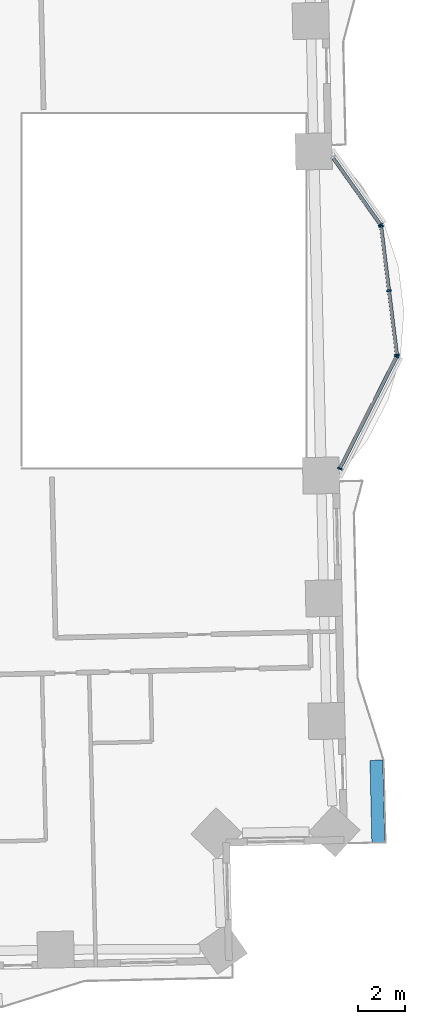
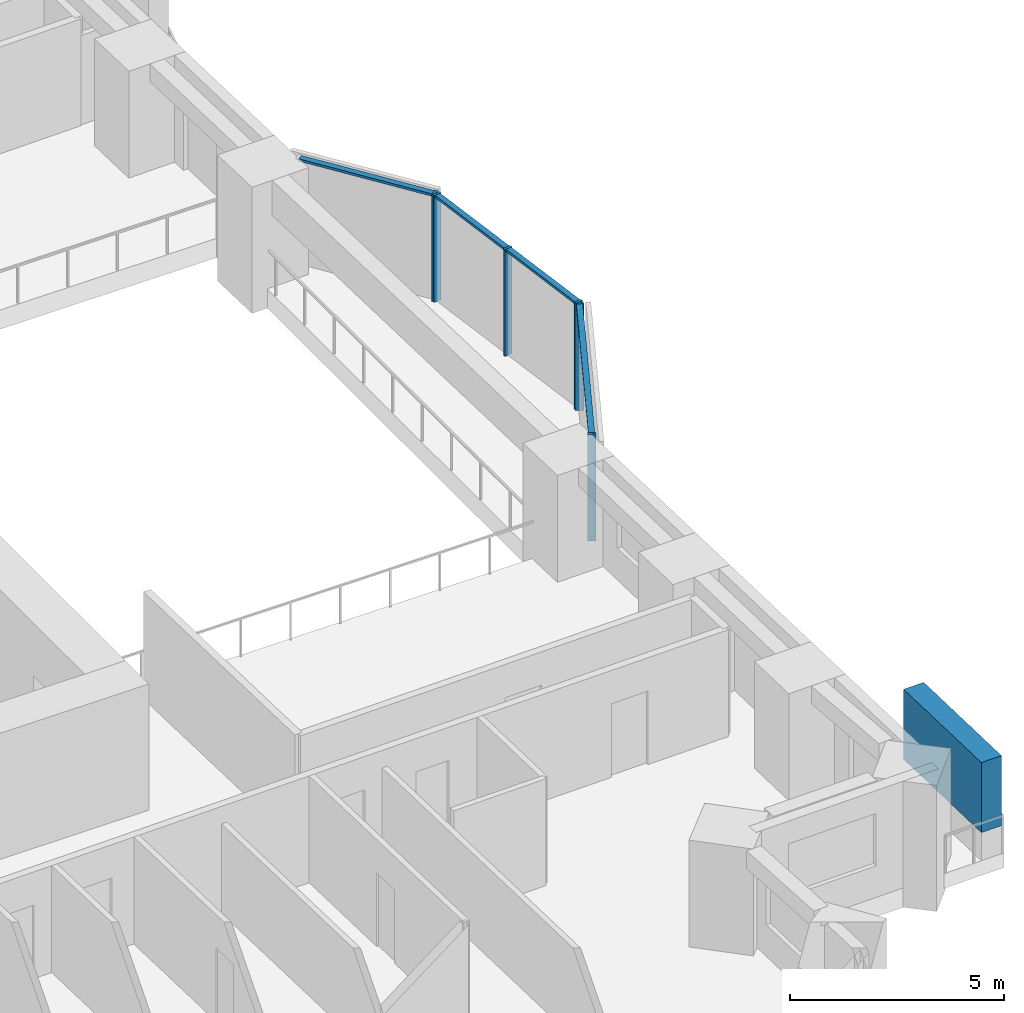
# One storey, part 3 of 16: 11 members, 3 elements without a shape of their own.
"""IFC4 building model written with IfcOpenShell, lengths in metres."""

from ifc_helpers import new_model, si_unit, direction, frame, origin, origin_2d, place, context, subcontext, project, spatial, rectangle, extrude, material, material_profile, profile_set, type_object, element, aggregate, save


model = new_model("IFC4")

# Units and contexts
model_context = context("Model", 3, precision=1e-05, world=origin(), true_north=direction((0.0, 1.0)))
body_context = subcontext(model_context, "Body", "Model", "MODEL_VIEW")
ifc_project = project(units=[si_unit("LENGTHUNIT", "METRE"), si_unit("AREAUNIT", "SQUARE_METRE"), si_unit("VOLUMEUNIT", "CUBIC_METRE"), si_unit("PLANEANGLEUNIT", "RADIAN"), si_unit("MASSUNIT", "GRAM", prefix="KILO")], contexts=[model_context])

# Site, building, storey
site_placement = place(None, origin())
site = spatial("IfcSite", under=ifc_project, at=site_placement, CompositionType="ELEMENT")
building_placement = place(site_placement, origin())
building = spatial("IfcBuilding", under=site, at=building_placement, Name="Mangrove Gate Tower", CompositionType="ELEMENT")
storey_placement = place(building_placement, frame((0.0, 0.0, 41.300048828125)))
storey = spatial("IfcBuildingStorey", under=building, at=storey_placement, Name="L09", CompositionType="ELEMENT", Elevation=41.300048828125)

# Curtain wall, members
ifc_material_1 = material(Name="Aluminium and glass curtain wall", Category="aluminium")
curtain_wall_type = type_object("IfcCurtainWallType", Name="Atrium garden-court glazing wall", PredefinedType="NOTDEFINED", material=ifc_material_1)
curtain_wall_1_placement = place(storey_placement, origin())
curtain_wall_1 = element("IfcCurtainWall", 1, at=curtain_wall_1_placement, inside=storey, type_object=curtain_wall_type, Name="Atrium garden-court glazing E1f1", PredefinedType="NOTDEFINED")
ifc_material_2 = material(Name="Aluminium alloy 6063-T6", Category="aluminium")
ifc_material_profile_1 = material_profile(ifc_material_2, rectangle(XDim=0.070068359375, YDim=0.199951171875, at=origin_2d()))
ifc_profile_set_1 = profile_set([ifc_material_profile_1], Name="Aluminium alloy 6063-T6")
member_type_1 = type_object("IfcMemberType", Name="Atrium garden-court glazing mullion 70x200", PredefinedType="MULLION", material=ifc_profile_set_1)
member_1_placement = place(storey_placement, frame((29.3681640625, -7.54833984375, 0.0), z_axis=(0.0, 0.0, 1.0), x_axis=(0.452600233136, 0.89171353526, 0.0)))
member_1 = element("IfcMember", 2, at=member_1_placement, type_object=member_type_1, Name="CWA mullion 1", PredefinedType="MULLION", context=body_context, shape_type="SweptSolid", body=[
    extrude(rectangle(XDim=0.070068359375, YDim=0.199951171875, at=origin_2d()), origin(), (0.0, 0.0, 1.0), 3.050048828125),
])
member_2_placement = place(storey_placement, frame((31.77978515625, -2.797119140625, 0.0), z_axis=(0.0, 0.0, 1.0), x_axis=(0.452600233136, 0.89171353526, 0.0)))
member_2 = element("IfcMember", 3, at=member_2_placement, type_object=member_type_1, Name="CWA mullion 2", PredefinedType="MULLION", context=body_context, shape_type="SweptSolid", body=[
    extrude(rectangle(XDim=0.070068359375, YDim=0.199951171875, at=origin_2d()), origin(), (0.0, 0.0, 1.0), 3.050048828125),
])

curtain_wall_2_placement = place(storey_placement, origin())
curtain_wall_2 = element("IfcCurtainWall", 4, at=curtain_wall_2_placement, inside=storey, type_object=curtain_wall_type, Name="Atrium garden-court glazing E1f2", PredefinedType="NOTDEFINED")
member_3_placement = place(storey_placement, frame((31.791259765625, -2.731201171875, 0.0), z_axis=(0.0, 0.0, 1.0), x_axis=(-0.122172285885, 0.992508908051, 0.0)))
member_3 = element("IfcMember", 5, at=member_3_placement, type_object=member_type_1, Name="CWA mullion 1", PredefinedType="MULLION", context=body_context, shape_type="SweptSolid", body=[
    extrude(rectangle(XDim=0.070068359375, YDim=0.199951171875, at=origin_2d()), origin(), (0.0, 0.0, 1.0), 3.050048828125),
])
member_4_placement = place(storey_placement, frame((31.455078125, -0.000244140625, 0.0), z_axis=(0.0, 0.0, 1.0), x_axis=(-0.122172285885, 0.992508908051, 0.0)))
member_4 = element("IfcMember", 6, at=member_4_placement, type_object=member_type_1, Name="CWA mullion 2", PredefinedType="MULLION", context=body_context, shape_type="SweptSolid", body=[
    extrude(rectangle(XDim=0.070068359375, YDim=0.199951171875, at=origin_2d()), origin(), (0.0, 0.0, 1.0), 3.050048828125),
])
member_5_placement = place(storey_placement, frame((31.118896484375, 2.73095703125, 0.0), z_axis=(0.0, 0.0, 1.0), x_axis=(-0.122172285885, 0.992508908051, 0.0)))
member_5 = element("IfcMember", 7, at=member_5_placement, type_object=member_type_1, Name="CWA mullion 3", PredefinedType="MULLION", context=body_context, shape_type="SweptSolid", body=[
    extrude(rectangle(XDim=0.070068359375, YDim=0.199951171875, at=origin_2d()), origin(), (0.0, 0.0, 1.0), 3.050048828125),
])

# Curtain wall, member
curtain_wall_3_placement = place(storey_placement, origin())
curtain_wall_3 = element("IfcCurtainWall", 8, at=curtain_wall_3_placement, inside=storey, type_object=curtain_wall_type, Name="Atrium garden-court glazing E1f3", PredefinedType="NOTDEFINED")
member_6_placement = place(storey_placement, frame((31.094482421875, 2.794189453125, 0.0), z_axis=(0.0, 0.0, 1.0), x_axis=(-0.578122631637, 0.815949889877, 0.0)))
member_6 = element("IfcMember", 9, at=member_6_placement, type_object=member_type_1, Name="CWA mullion 1", PredefinedType="MULLION", context=body_context, shape_type="SweptSolid", body=[
    extrude(rectangle(XDim=0.070068359375, YDim=0.199951171875, at=origin_2d()), origin(), (0.0, 0.0, 1.0), 3.050048828125),
])

# Member
ifc_material_3 = material(Name="Aluminium alloy 6063-T6", Category="aluminium")
ifc_material_profile_2 = material_profile(ifc_material_3, rectangle(XDim=0.070068359375, YDim=0.14990234375, at=origin_2d()))
ifc_profile_set_2 = profile_set([ifc_material_profile_2], Name="Aluminium alloy 6063-T6")
member_type_2 = type_object("IfcMemberType", Name="Atrium garden-court glazing transom 70x150", PredefinedType="USERDEFINED", material=ifc_profile_set_2)
member_7_placement = place(storey_placement, frame((29.384033203125, -7.51708984375, 3.014892578125), z_axis=(0.452610006929, 0.891708574383, 0.0), x_axis=(0.0, 0.0, 1.0)))
member_7 = element("IfcMember", 10, at=member_7_placement, type_object=member_type_2, Name="CWA transom 1.2", ObjectType="TRANSOM", PredefinedType="USERDEFINED", context=body_context, shape_type="SweptSolid", body=[
    extrude(rectangle(XDim=0.070068359375, YDim=0.14990234375, at=origin_2d()), origin(), (0.0, 0.0, 1.0), 5.258056640625),
])

aggregate(curtain_wall_1, [member_1, member_2, member_7])

member_8_placement = place(storey_placement, frame((31.787109375, -2.696533203125, 3.014892578125), z_axis=(-0.122174517154, 0.992508633392, 0.0), x_axis=(0.0, 0.0, 1.0)))
member_8 = element("IfcMember", 11, at=member_8_placement, type_object=member_type_2, Name="CWA transom 1.2", ObjectType="TRANSOM", PredefinedType="USERDEFINED", context=body_context, shape_type="SweptSolid", body=[
    extrude(rectangle(XDim=0.070068359375, YDim=0.14990234375, at=origin_2d()), origin(), (0.0, 0.0, 1.0), 2.681640625),
])

member_9_placement = place(storey_placement, frame((31.450927734375, 0.03466796875, 3.014892578125), z_axis=(-0.122174517154, 0.992508633392, 0.0), x_axis=(0.0, 0.0, 1.0)))
member_9 = element("IfcMember", 12, at=member_9_placement, type_object=member_type_2, Name="CWA transom 2.2", ObjectType="TRANSOM", PredefinedType="USERDEFINED", context=body_context, shape_type="SweptSolid", body=[
    extrude(rectangle(XDim=0.070068359375, YDim=0.14990234375, at=origin_2d()), origin(), (0.0, 0.0, 1.0), 2.681640625),
])

aggregate(curtain_wall_2, [member_3, member_4, member_5, member_8, member_9])

member_10_placement = place(storey_placement, frame((31.07421875, 2.82275390625, 3.014892578125), z_axis=(-0.578122045982, 0.815950304829, 0.0), x_axis=(0.0, 0.0, 1.0)))
member_10 = element("IfcMember", 13, at=member_10_placement, type_object=member_type_2, Name="CWA transom 1.2", ObjectType="TRANSOM", PredefinedType="USERDEFINED", context=body_context, shape_type="SweptSolid", body=[
    extrude(rectangle(XDim=0.070068359375, YDim=0.14990234375, at=origin_2d()), origin(), (0.0, 0.0, 1.0), 3.4287109375),
])

aggregate(curtain_wall_3, [member_6, member_10])

ifc_material_4 = material(Name="Planting on aluminium trellis", Category="aluminium")
ifc_material_profile_3 = material_profile(ifc_material_4, rectangle(XDim=0.550048828125, YDim=2.0, at=origin_2d()))
ifc_profile_set_3 = profile_set([ifc_material_profile_3], Name="Planting on aluminium trellis")
member_type_3 = type_object("IfcMemberType", Name="Balcony greenery screen 550x2000", PredefinedType="USERDEFINED", material=ifc_profile_set_3)
member_11_placement = place(storey_placement, frame((31.001953125, -23.416015625, 1.800048828125), z_axis=(-0.022810139511, 0.99973981492, 0.0), x_axis=(-0.99973981492, -0.022810139511, 0.0)))
element("IfcMember", 14, at=member_11_placement, inside=storey, type_object=member_type_3, Name="GREEN SCREEN L09 E0.1", ObjectType="PLANTING", PredefinedType="USERDEFINED", context=body_context, shape_type="SweptSolid", body=[
    extrude(rectangle(XDim=0.550048828125, YDim=2.0, at=origin_2d()), origin(), (0.0, 0.0, 1.0), 3.5),
])

save(model, "model.ifc")
